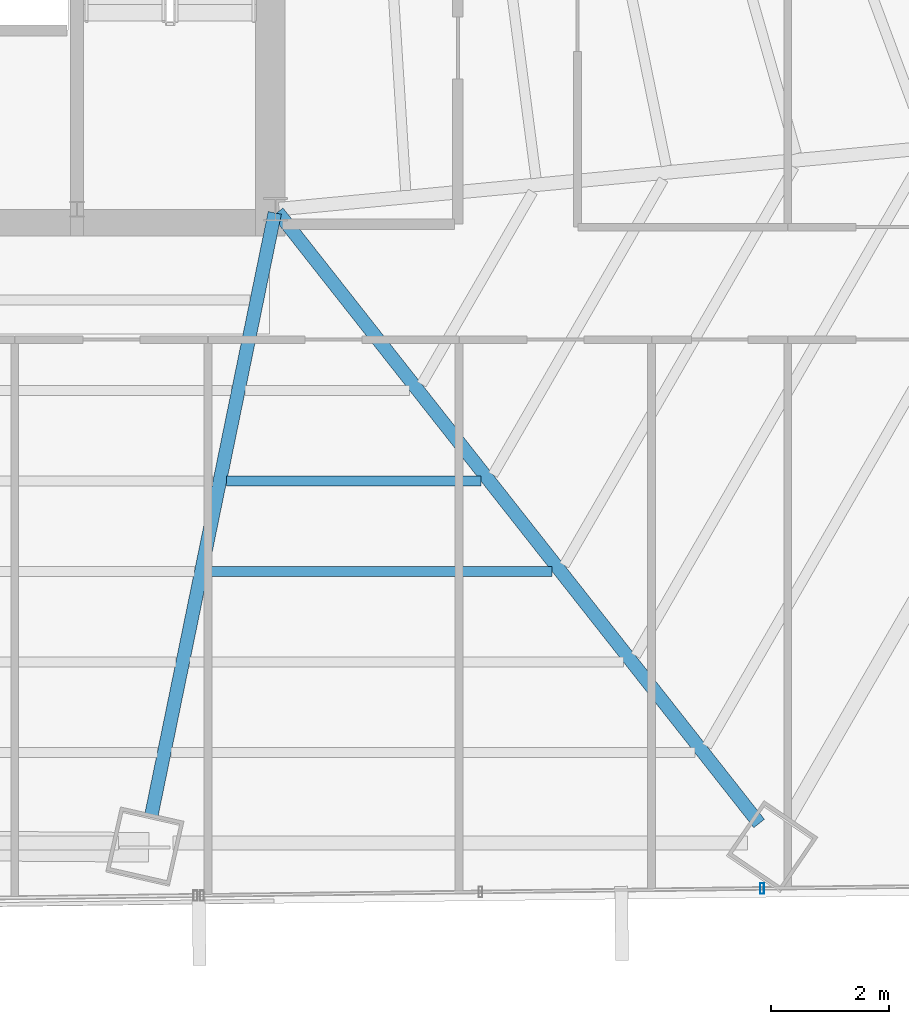
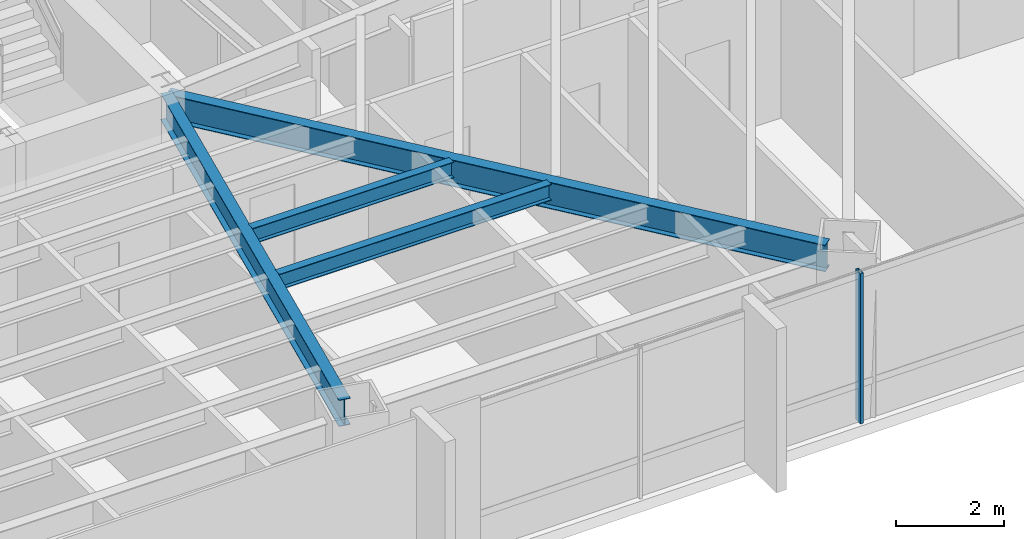
# One storey, part 17 of 37: 4 beams, 1 member, 1 element without a shape of its own.
"""IFC4 building model written with IfcOpenShell, lengths in metres."""

from ifc_helpers import new_model, si_unit, direction, frame, origin, origin_2d, place, context, subcontext, project, spatial, hollow_rectangle, i_section, extrude, source, transform, mapped, material, material_profile, profile_set, type_object, type_shapes, element, aggregate, save


model = new_model("IFC4")

# Units and contexts
model_context = context("Model", 3, precision=1e-05, world=origin(), true_north=direction((0.0, 1.0)))
body_context = subcontext(model_context, "Body", "Model", "MODEL_VIEW")
ifc_project = project(units=[si_unit("LENGTHUNIT", "METRE"), si_unit("AREAUNIT", "SQUARE_METRE"), si_unit("VOLUMEUNIT", "CUBIC_METRE"), si_unit("PLANEANGLEUNIT", "RADIAN"), si_unit("MASSUNIT", "GRAM", prefix="KILO")], contexts=[model_context])

# Site, building, storey
site_placement = place(None, origin())
site = spatial("IfcSite", under=ifc_project, at=site_placement, CompositionType="ELEMENT")
building_placement = place(site_placement, origin())
building = spatial("IfcBuilding", under=site, at=building_placement, Name="Caelisora Broadcast Tower", CompositionType="ELEMENT")
storey_placement = place(building_placement, frame((0.0, 0.0, 120.0)))
storey = spatial("IfcBuildingStorey", under=building, at=storey_placement, Name="L31", CompositionType="ELEMENT", Elevation=120.0)

# Beams
ifc_material_1 = material(Name="Steel Grade 350 (AS/NZS 3679.1)", Category="steel")
ifc_material_profile_1 = material_profile(ifc_material_1, i_section(OverallWidth=0.22802734375, OverallDepth=0.602294921875, WebThickness=0.010498046875, FlangeThickness=0.014892578125, at=origin_2d()), Name="Steel Grade 350 (AS/NZS 3679.1)")
ifc_profile_set_1 = profile_set([ifc_material_profile_1], Name="Steel Grade 350 (AS/NZS 3679.1)")
beam_type_1 = type_object("IfcBeamType", Name="PG04", PredefinedType="BEAM", material=ifc_profile_set_1)
shared_shape_1 = source(origin(), body_context, "Body", "SweptSolid", [
    extrude(i_section(OverallWidth=0.22802734375, OverallDepth=0.602294921875, WebThickness=0.010498046875, FlangeThickness=0.014892578125, at=origin_2d()), origin(), (0.0, 0.0, 1.0), 13.13720703125),
])
beam_1_placement = place(storey_placement, frame((45.537109375, 17.352783203125, 3.098876953125), z_axis=(0.61876659336, -0.785574886909, 0.0), x_axis=(0.785574886909, 0.61876659336, 0.0)))
element("IfcBeam", 1, at=beam_1_placement, inside=storey, type_object=beam_type_1, Name="L31 beam PG04", PredefinedType="BEAM", context=body_context, shape_type="MappedRepresentation", body=[
    mapped(shared_shape_1, transform((0.0, 0.0, 0.0), scale=1.0)),
])
shared_shape_2 = source(origin(), body_context, "Body", "SweptSolid", [
    extrude(i_section(OverallWidth=0.22802734375, OverallDepth=0.602294921875, WebThickness=0.010498046875, FlangeThickness=0.014892578125, at=origin_2d()), origin(), (0.0, 0.0, 1.0), 10.439697265625),
])
type_shapes(beam_type_1, [shared_shape_1, shared_shape_2])
beam_2_placement = place(storey_placement, frame((45.488037109375, 17.34130859375, 3.098876953125), z_axis=(-0.200674261531, -0.979658022352, 0.0), x_axis=(0.979658022352, -0.200674261531, 0.0)))
element("IfcBeam", 2, at=beam_2_placement, inside=storey, type_object=beam_type_1, Name="L31 beam PG04", PredefinedType="BEAM", context=body_context, shape_type="MappedRepresentation", body=[
    mapped(shared_shape_2, transform((0.0, 0.0, 0.0), scale=1.0)),
])
ifc_material_profile_2 = material_profile(ifc_material_1, i_section(OverallWidth=0.172119140625, OverallDepth=0.358642578125, WebThickness=0.008056640625, FlangeThickness=0.012939453125, at=origin_2d()), Name="Steel Grade 350 (AS/NZS 3679.1)")
ifc_profile_set_2 = profile_set([ifc_material_profile_2], Name="Steel Grade 350 (AS/NZS 3679.1)")
beam_type_2 = type_object("IfcBeamType", Name="SB02", PredefinedType="JOIST", material=ifc_profile_set_2)
shared_shape_3 = source(origin(), body_context, "Body", "SweptSolid", [
    extrude(i_section(OverallWidth=0.172119140625, OverallDepth=0.358642578125, WebThickness=0.008056640625, FlangeThickness=0.012939453125, at=origin_2d()), origin(), (0.0, 0.0, 1.0), 4.294677734375),
])
beam_3_placement = place(storey_placement, frame((44.67431640625, 12.8154296875, 3.220703125), z_axis=(1.0, 0.0, 0.0), x_axis=(0.0, 1.0, 0.0)))
element("IfcBeam", 3, at=beam_3_placement, inside=storey, type_object=beam_type_2, Name="L31 beam SB02", PredefinedType="JOIST", context=body_context, shape_type="MappedRepresentation", body=[
    mapped(shared_shape_3, transform((0.0, 0.0, 0.0), scale=1.0)),
])
shared_shape_4 = source(origin(), body_context, "Body", "SweptSolid", [
    extrude(i_section(OverallWidth=0.172119140625, OverallDepth=0.358642578125, WebThickness=0.008056640625, FlangeThickness=0.012939453125, at=origin_2d()), origin(), (0.0, 0.0, 1.0), 5.811767578125),
])
type_shapes(beam_type_2, [shared_shape_3, shared_shape_4])
beam_4_placement = place(storey_placement, frame((44.361083984375, 11.287109375, 3.220703125), z_axis=(1.0, 0.0, 0.0), x_axis=(0.0, 1.0, 0.0)))
element("IfcBeam", 4, at=beam_4_placement, inside=storey, type_object=beam_type_2, Name="L31 beam SB02", PredefinedType="JOIST", context=body_context, shape_type="MappedRepresentation", body=[
    mapped(shared_shape_4, transform((0.0, 0.0, 0.0), scale=1.0)),
])

# Curtain wall, member
ifc_material_2 = material(Name="Unitised Aluminium and Low-E Glass Curtain Wall", Category="glass")
curtain_wall_type = type_object("IfcCurtainWallType", Name="CW-Z2", PredefinedType="NOTDEFINED", material=ifc_material_2)
curtain_wall_placement = place(storey_placement, origin())
curtain_wall = element("IfcCurtainWall", 5, at=curtain_wall_placement, inside=storey, type_object=curtain_wall_type, Name="L31 curtain wall CW-Z2", PredefinedType="NOTDEFINED")
ifc_material_3 = material(Name="Aluminium 6063-T6 Anodised Terracotta Bronze", Category="aluminium")
ifc_material_profile_3 = material_profile(ifc_material_3, hollow_rectangle(XDim=0.06494140625, YDim=0.179931640625, WallThickness=0.00341796875, at=origin_2d()), Name="Aluminium 6063-T6 Anodised Terracotta Bronze")
ifc_profile_set_3 = profile_set([ifc_material_profile_3], Name="Aluminium 6063-T6 Anodised Terracotta Bronze")
member_type = type_object("IfcMemberType", Name="CWM-02", PredefinedType="MULLION", material=ifc_profile_set_3)
shared_shape_5 = source(origin(), body_context, "Body", "SweptSolid", [
    extrude(hollow_rectangle(XDim=0.06494140625, YDim=0.179931640625, WallThickness=0.00341796875, at=origin_2d()), origin(), (0.0, 0.0, 1.0), 3.39990234375),
])
type_shapes(member_type, [shared_shape_5])
member_placement = place(storey_placement, frame((53.7177734375, 5.935791015625, 0.0), z_axis=(0.0, 0.0, 1.0), x_axis=(1.0, 0.0, 0.0)))
member = element("IfcMember", 6, at=member_placement, type_object=member_type, Name="L31-CW-B05 mullion #1", PredefinedType="MULLION", context=body_context, shape_type="MappedRepresentation", body=[
    mapped(shared_shape_5, transform((0.0, 0.0, 0.0), scale=1.0)),
])
aggregate(curtain_wall, [member])

save(model, "model.ifc")
